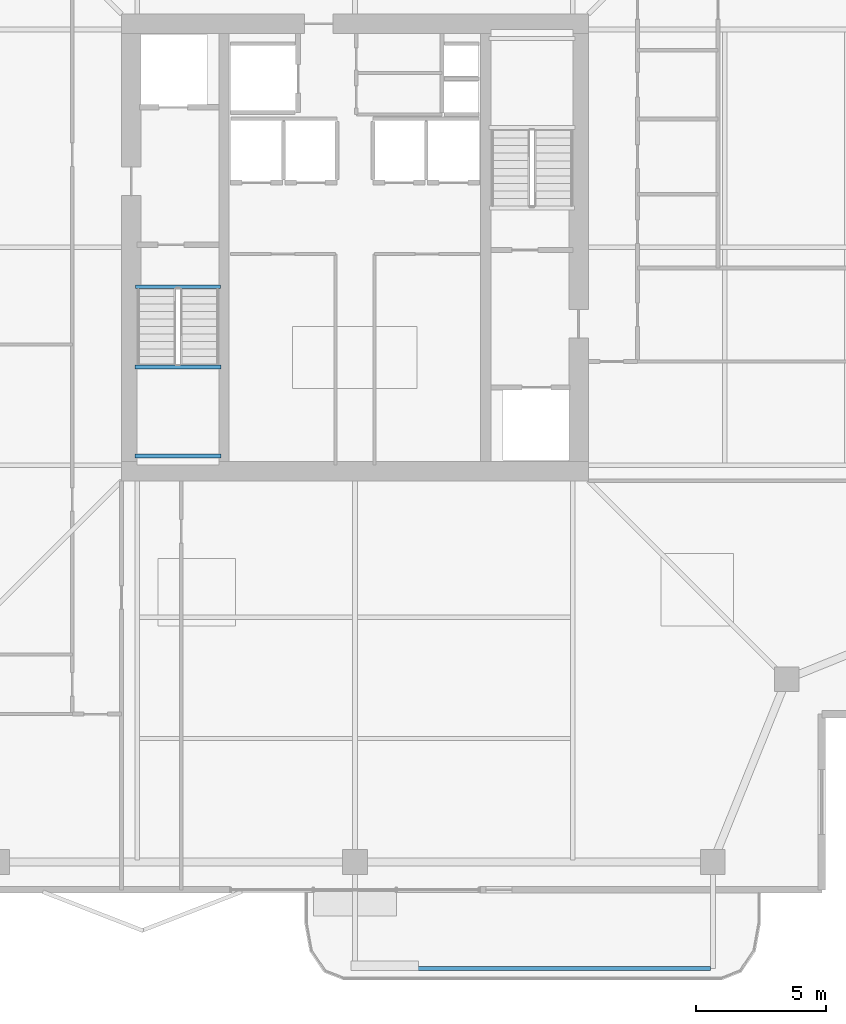
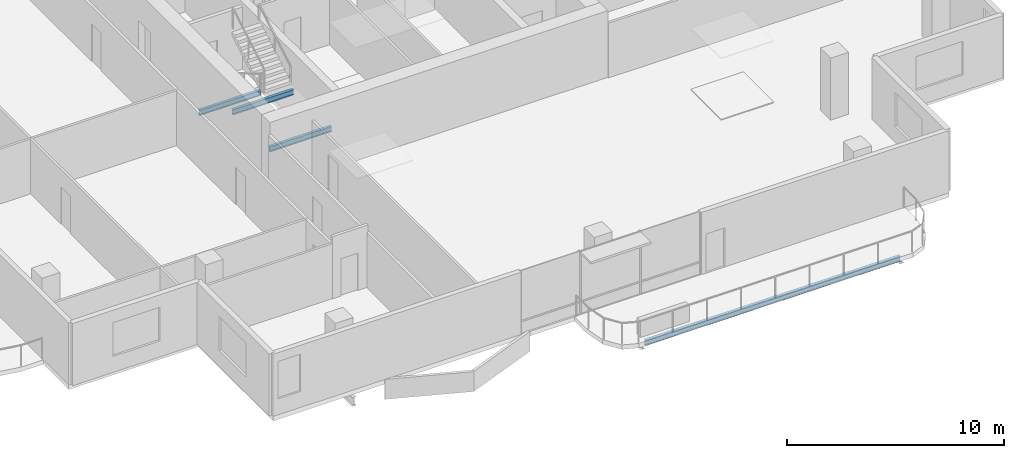
# One storey, part 7 of 25: 4 beams.
"""IFC4 building model written with IfcOpenShell, lengths in metres."""

from ifc_helpers import new_model, si_unit, direction, frame, origin, origin_2d, place, context, subcontext, project, spatial, i_section, extrude, material, material_profile, profile_set, type_object, element, save


model = new_model("IFC4")

# Units and contexts
model_context = context("Model", 3, precision=1e-05, world=origin(), true_north=direction((0.0, 1.0)))
body_context = subcontext(model_context, "Body", "Model", "MODEL_VIEW")
ifc_project = project(units=[si_unit("LENGTHUNIT", "METRE"), si_unit("AREAUNIT", "SQUARE_METRE"), si_unit("VOLUMEUNIT", "CUBIC_METRE"), si_unit("PLANEANGLEUNIT", "RADIAN"), si_unit("MASSUNIT", "GRAM", prefix="KILO")], contexts=[model_context])

# Site, building, storey
site_placement = place(None, origin())
site = spatial("IfcSite", under=ifc_project, at=site_placement, CompositionType="ELEMENT")
building_placement = place(site_placement, origin())
building = spatial("IfcBuilding", under=site, at=building_placement, Name="Belovzor Exchange Tower", CompositionType="ELEMENT")
storey_placement = place(building_placement, frame((0.0, 0.0, 269.10009765625)))
storey = spatial("IfcBuildingStorey", under=building, at=storey_placement, Name="L67", CompositionType="ELEMENT", Elevation=269.10009765625)

# Beams
ifc_material_1 = material(Name="Steel S355", Category="steel")
ifc_material_profile_1 = material_profile(ifc_material_1, i_section(OverallWidth=0.14990234375, OverallDepth=0.300048828125, WebThickness=0.007080078125, FlangeThickness=0.0107421875, at=origin_2d()))
ifc_profile_set_1 = profile_set([ifc_material_profile_1], Name="Steel S355")
beam_type_1 = type_object("IfcBeamType", Name="Planted Balcony Fascia Edge Beam IPE 300", PredefinedType="BEAM", material=ifc_profile_set_1)
beam_1_placement = place(storey_placement, frame((28.89990234375, 0.989013671875, -0.400146484375), z_axis=(1.0, 0.0, 0.0), x_axis=(0.0, 1.0, 0.0)))
element("IfcBeam", 1, at=beam_1_placement, inside=storey, type_object=beam_type_1, Name="BC-300 Planted Balcony Fascia Edge Beam IPE 300", PredefinedType="BEAM", context=body_context, shape_type="SweptSolid", body=[
    extrude(i_section(OverallWidth=0.14990234375, OverallDepth=0.300048828125, WebThickness=0.007080078125, FlangeThickness=0.0107421875, at=origin_2d()), origin(), (0.0, 0.0, 1.0), 13.60009765625),
])
ifc_material_2 = material(Name="Steel S355", Category="steel")
ifc_material_profile_2 = material_profile(ifc_material_2, i_section(OverallWidth=0.14990234375, OverallDepth=0.300048828125, WebThickness=0.007080078125, FlangeThickness=0.0107421875, at=origin_2d()))
ifc_profile_set_2 = profile_set([ifc_material_profile_2], Name="Steel S355")
beam_type_2 = type_object("IfcBeamType", Name="Secondary Trim Floor Joist IPE 300", PredefinedType="BEAM", material=ifc_profile_set_2)
for number, where, z_axis, x_axis, name in (
    (2, (20.320068359375, 24.179931640625, 1.52490234375), (1.0, 0.0, 0.0), (0.0, 1.0, 0.0), "FJ-300 Secondary Trim Floor Joist IPE 300"),
    (3, (20.320068359375, 20.75, 1.52490234375), (1.0, 0.0, 0.0), (0.0, 1.0, 0.0), "FJ-300 Secondary Trim Floor Joist IPE 300"),
):
    element("IfcBeam", number, at=place(storey_placement, frame(where, z_axis=z_axis, x_axis=x_axis)), inside=storey, type_object=beam_type_2, Name=name, PredefinedType="BEAM", context=body_context, shape_type="SweptSolid", body=[
        extrude(i_section(OverallWidth=0.14990234375, OverallDepth=0.300048828125, WebThickness=0.007080078125, FlangeThickness=0.0107421875, at=origin_2d()), origin(), (0.0, 0.0, 1.0), 3.309814453125),
    ])
beam_2_placement = place(storey_placement, frame((20.340087890625, 27.280029296875, -0.400146484375), z_axis=(1.0, 0.0, 0.0), x_axis=(0.0, 1.0, 0.0)))
element("IfcBeam", 4, at=beam_2_placement, inside=storey, type_object=beam_type_2, Name="FJ-300 Secondary Trim Floor Joist IPE 300", PredefinedType="BEAM", context=body_context, shape_type="SweptSolid", body=[
    extrude(i_section(OverallWidth=0.14990234375, OverallDepth=0.300048828125, WebThickness=0.007080078125, FlangeThickness=0.0107421875, at=origin_2d()), origin(), (0.0, 0.0, 1.0), 3.27001953125),
])

save(model, "model.ifc")
